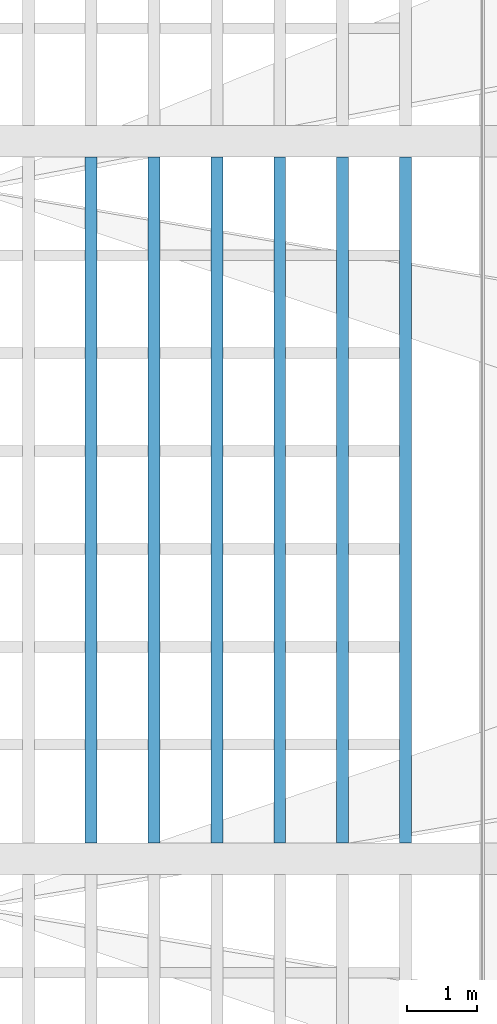
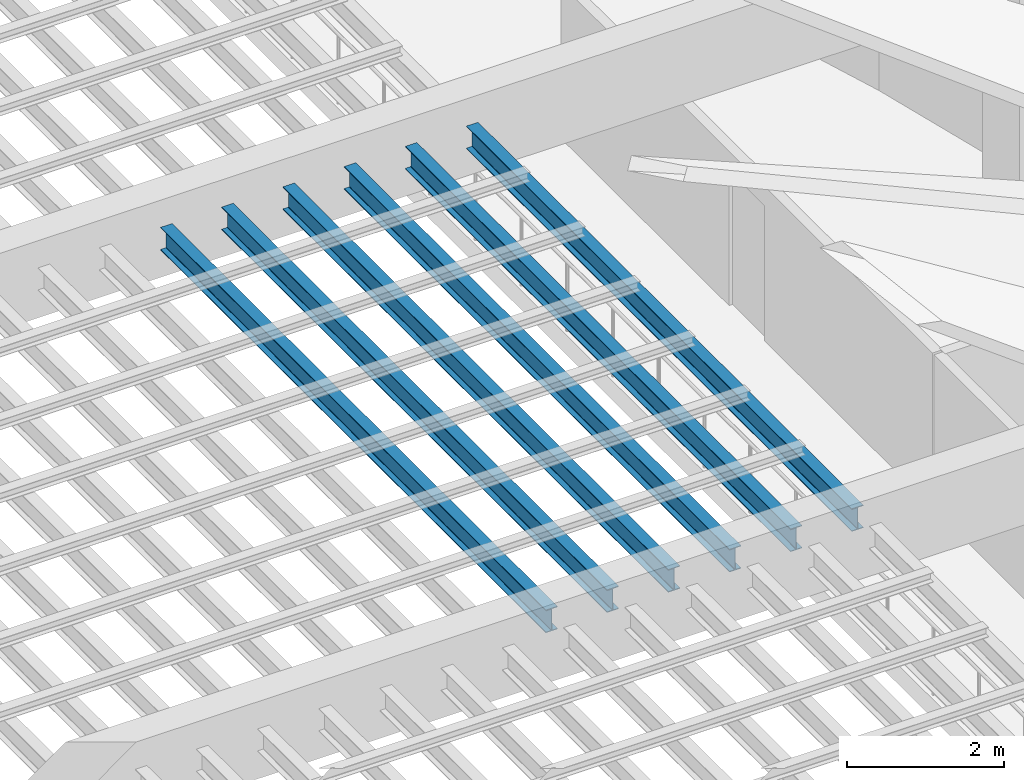
# One storey, part 9 of 56: 6 beams.
"""IFC4 building model written with IfcOpenShell, lengths in metres."""

from ifc_helpers import new_model, si_unit, direction, frame, origin, origin_2d, place, context, subcontext, project, spatial, i_section, extrude, material, material_profile, profile_set, type_object, element, save


model = new_model("IFC4")

# Units and contexts
model_context = context("Model", 3, precision=1e-05, world=origin(), true_north=direction((0.0, 1.0)))
body_context = subcontext(model_context, "Body", "Model", "MODEL_VIEW")
ifc_project = project(units=[si_unit("LENGTHUNIT", "METRE"), si_unit("AREAUNIT", "SQUARE_METRE"), si_unit("VOLUMEUNIT", "CUBIC_METRE"), si_unit("PLANEANGLEUNIT", "RADIAN"), si_unit("MASSUNIT", "GRAM", prefix="KILO")], contexts=[model_context])

# Site, building, storey
site_placement = place(None, origin())
site = spatial("IfcSite", under=ifc_project, at=site_placement, CompositionType="ELEMENT")
building_placement = place(site_placement, origin())
building = spatial("IfcBuilding", under=site, at=building_placement, Name="Tide Square Theatres", CompositionType="ELEMENT")
storey_placement = place(building_placement, frame((0.0, 0.0, 10.199951171875)))
storey = spatial("IfcBuildingStorey", under=building, at=storey_placement, Name="L02", CompositionType="ELEMENT", Elevation=10.199951171875)

# Beams
ifc_material = material(Name="Steel ASTM A572 Grade 50", Category="steel")
ifc_material_profile = material_profile(ifc_material, i_section(OverallWidth=0.1708984375, OverallDepth=0.35498046875, WebThickness=0.007080078125, FlangeThickness=0.01171875, FilletRadius=0.011962890625, at=origin_2d()))
ifc_profile_set = profile_set([ifc_material_profile], Name="Steel ASTM A572 Grade 50")
beam_type = type_object("IfcBeamType", Name="Steel beam W 360 x 51.0", PredefinedType="BEAM", material=ifc_profile_set)
for number, where, z_axis, x_axis, name in (
    (1, (42.300048828125, 45.4248046875, 3.122802734375), (0.0, 1.0, 0.0), (-1.0, 0.0, 0.0), "Studio Theatre rigging grid girder"),
    (2, (41.39990234375, 45.4248046875, 3.122802734375), (0.0, 1.0, 0.0), (-1.0, 0.0, 0.0), "Studio Theatre rigging grid girder"),
    (3, (40.5, 45.4248046875, 3.122802734375), (0.0, 1.0, 0.0), (-1.0, 0.0, 0.0), "Studio Theatre rigging grid girder"),
    (4, (39.60009765625, 45.4248046875, 3.122802734375), (0.0, 1.0, 0.0), (-1.0, 0.0, 0.0), "Studio Theatre rigging grid girder"),
    (5, (38.699951171875, 45.4248046875, 3.122802734375), (0.0, 1.0, 0.0), (-1.0, 0.0, 0.0), "Studio Theatre rigging grid girder"),
    (6, (37.800048828125, 45.4248046875, 3.122802734375), (0.0, 1.0, 0.0), (-1.0, 0.0, 0.0), "Studio Theatre rigging grid girder"),
):
    element("IfcBeam", number, at=place(storey_placement, frame(where, z_axis=z_axis, x_axis=x_axis)), inside=storey, type_object=beam_type, Name=name, PredefinedType="BEAM", context=body_context, shape_type="SweptSolid", body=[
        extrude(i_section(OverallWidth=0.1708984375, OverallDepth=0.35498046875, WebThickness=0.007080078125, FlangeThickness=0.01171875, FilletRadius=0.011962890625, at=origin_2d()), origin(), (0.0, 0.0, 1.0), 9.8193359375),
    ])

save(model, "model.ifc")
